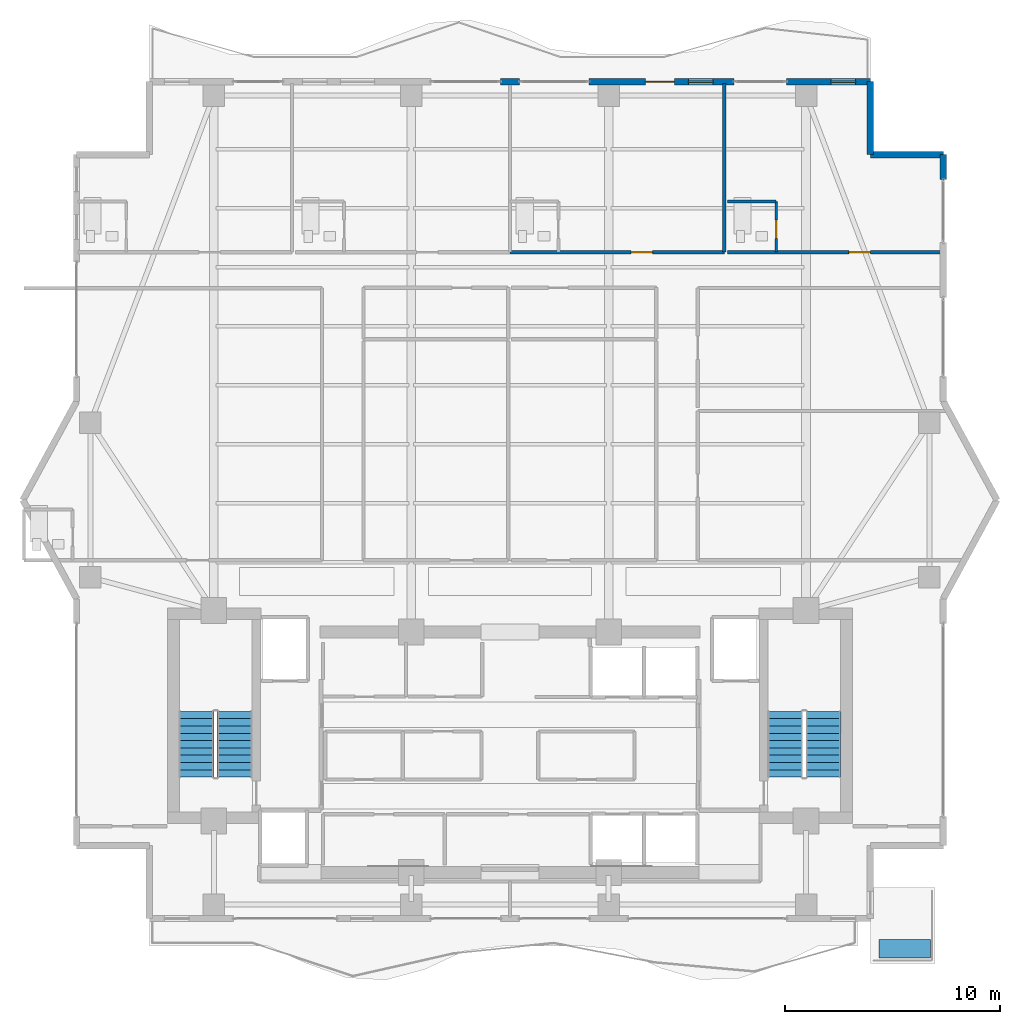
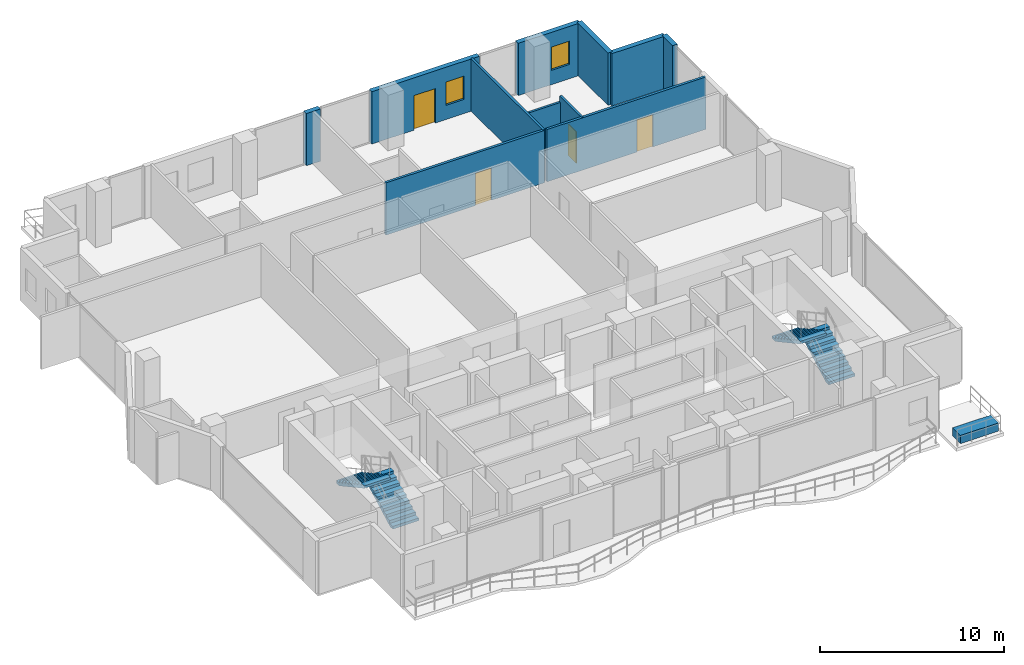
# One storey, part 22 of 25: 11 walls, 4 doors, 4 stair flights, 2 windows, 1 building element part, 6 openings, 2 elements without a shape of their own.
"""IFC4 building model written with IfcOpenShell, lengths in metres."""

from ifc_helpers import new_model, si_unit, direction, frame, frame_2d, origin, origin_2d, place, context, subcontext, project, spatial, polyline, rectangle, outline, extrude, material, layer, layer_set, type_object, element, fill, aggregate, save


model = new_model("IFC4")

# Units and contexts
model_context = context("Model", 3, precision=1e-05, world=origin(), true_north=direction((0.0, 1.0)))
body_context = subcontext(model_context, "Body", "Model", "MODEL_VIEW")
ifc_project = project(units=[si_unit("LENGTHUNIT", "METRE"), si_unit("AREAUNIT", "SQUARE_METRE"), si_unit("VOLUMEUNIT", "CUBIC_METRE"), si_unit("PLANEANGLEUNIT", "RADIAN"), si_unit("MASSUNIT", "GRAM", prefix="KILO")], contexts=[model_context])

# Site, building, storey
site_placement = place(None, origin())
site = spatial("IfcSite", under=ifc_project, at=site_placement, CompositionType="ELEMENT")
building_placement = place(site_placement, origin())
building = spatial("IfcBuilding", under=site, at=building_placement, Name="Zuhayl Quay Hotel", CompositionType="ELEMENT")
storey_placement = place(building_placement, frame((0.0, 0.0, 250.75)))
storey = spatial("IfcBuildingStorey", under=building, at=storey_placement, Name="L63", CompositionType="ELEMENT", Elevation=250.75)

# Wall
ifc_material_1 = material(Name="Precast concrete C45/55", Category="concrete")
ifc_layer_1 = layer(ifc_material_1, 0.300048828125, Name="Precast concrete C45/55", Category="concrete")
ifc_layer_set_1 = layer_set([ifc_layer_1], Name="Precast concrete C45/55")
wall_type_1 = type_object("IfcWallType", Name="WL_EXT_300", PredefinedType="STANDARD", material=ifc_layer_set_1)
wall_1_placement = place(storey_placement, frame((-0.449951171875, 39.0, 0.0), z_axis=(0.0, 0.0, 1.0), x_axis=(1.0, 0.0, 0.0)))
element("IfcWall", 1, at=wall_1_placement, inside=storey, type_object=wall_type_1, Name="L63 Exterior Precast Wall ENV_L63_N_EW3", PredefinedType="STANDARD", context=body_context, shape_type="SweptSolid", body=[
    extrude(rectangle(XDim=0.89990234375, YDim=0.300048828125, at=frame_2d((0.449951171875, 0.0))), origin(), (0.0, 0.0, 1.0), 3.47998046875),
])

# Wall, openings, door, window
wall_2_placement = place(storey_placement, frame((3.679931640625, 39.0, 0.0), z_axis=(0.0, 0.0, 1.0), x_axis=(1.0, 0.0, 0.0)))
wall_2 = element("IfcWall", 2, at=wall_2_placement, inside=storey, type_object=wall_type_1, Name="L63 Exterior Precast Wall ENV_L63_N_EW4", PredefinedType="STANDARD", context=body_context, shape_type="SweptSolid", body=[
    extrude(rectangle(XDim=6.760009765625, YDim=0.300048828125, at=frame_2d((3.3798828125, 0.0))), origin(), (0.0, 0.0, 1.0), 3.47998046875),
])
opening_1_placement = place(wall_2_placement, frame((2.637939453125, 0.0, 0.0)))
opening_1 = element("IfcOpeningElement", 3, at=opening_1_placement, cuts=wall_2, Name="Opening DG2", PredefinedType="OPENING", context=body_context, shape_type="SweptSolid", body=[
    extrude(rectangle(XDim=1.35009765625, YDim=2.300048828125, at=frame_2d((0.675048828125, 1.14990234375))), frame((0.0, 0.159912109375, 0.0), z_axis=(0.0, -1.0, 0.0), x_axis=(1.0, 0.0, 0.0)), (0.0, 0.0, 1.0), 0.320068359375),
])
opening_2_placement = place(wall_2_placement, frame((4.638916015625, 0.0, 0.949951171875)))
opening_2 = element("IfcOpeningElement", 4, at=opening_2_placement, cuts=wall_2, Name="Opening W01N", PredefinedType="OPENING", context=body_context, shape_type="SweptSolid", body=[
    extrude(rectangle(XDim=1.14990234375, YDim=1.550048828125, at=frame_2d((0.574951171875, 0.77490234375))), frame((0.0, 0.159912109375, 0.0), z_axis=(0.0, -1.0, 0.0), x_axis=(1.0, 0.0, 0.0)), (0.0, 0.0, 1.0), 0.320068359375),
])
ifc_material_2 = material(Name="Anodised Aluminium and Dark Solar Glass", Category="aluminium")
door_type_1 = type_object("IfcDoorType", Name="DR_EXT_TERR_1350", OperationType="NOTDEFINED", PredefinedType="DOOR", material=ifc_material_2)
door_1_placement = place(opening_1_placement, origin())
door_1 = element("IfcDoor", 5, at=door_1_placement, inside=storey, type_object=door_type_1, Name="L63 North Rippling Balcony Door", OperationType="SINGLE_SWING_LEFT", OverallHeight=2.300048828125, OverallWidth=1.35009765625, PredefinedType="DOOR", context=body_context, shape_type="SweptSolid", body=[
    extrude(rectangle(XDim=1.35009765625, YDim=2.300048828125, at=frame_2d((0.675048828125, 1.14990234375))), frame((0.0, 0.02490234375, 0.0), z_axis=(0.0, -1.0, 0.0), x_axis=(1.0, 0.0, 0.0)), (0.0, 0.0, 1.0), 0.050048828125),
])
fill(opening_1, door_1)
ifc_material_3 = material(Name="Dark Ceramic-Fritted Solar Glass", Category="glass")
window_type = type_object("IfcWindowType", Name="WN_NOTCH_1350", PartitioningType="SINGLE_PANEL", PredefinedType="WINDOW", material=ifc_material_3)
window_1_placement = place(opening_2_placement, origin())
window_1 = element("IfcWindow", 6, at=window_1_placement, inside=storey, type_object=window_type, Name="L63 Operable Facade Window 4-1", OverallHeight=1.550048828125, OverallWidth=1.14990234375, PartitioningType="SINGLE_PANEL", PredefinedType="WINDOW", context=body_context, shape_type="SweptSolid", body=[
    extrude(rectangle(XDim=1.14990234375, YDim=1.550048828125, at=frame_2d((0.574951171875, 0.77490234375))), frame((0.0, 0.030029296875, 0.0), z_axis=(0.0, -1.0, 0.0), x_axis=(1.0, 0.0, 0.0)), (0.0, 0.0, 1.0), 0.06005859375),
])
fill(opening_2, window_1)

# Wall, opening, window
wall_3_placement = place(storey_placement, frame((12.8798828125, 39.0, 0.0), z_axis=(0.0, 0.0, 1.0), x_axis=(1.0, 0.0, 0.0)))
wall_3 = element("IfcWall", 7, at=wall_3_placement, inside=storey, type_object=wall_type_1, Name="L63 Exterior Precast Wall ENV_L63_N_EW5", PredefinedType="STANDARD", context=body_context, shape_type="SweptSolid", body=[
    extrude(rectangle(XDim=3.920166015625, YDim=0.300048828125, at=frame_2d((1.9599609375, 0.0))), origin(), (0.0, 0.0, 1.0), 3.47998046875),
])
opening_3_placement = place(wall_3_placement, frame((2.074951171875, 0.0, 0.949951171875)))
opening_3 = element("IfcOpeningElement", 8, at=opening_3_placement, cuts=wall_3, Name="Opening W01N", PredefinedType="OPENING", context=body_context, shape_type="SweptSolid", body=[
    extrude(rectangle(XDim=1.14990234375, YDim=1.550048828125, at=frame_2d((0.574951171875, 0.77490234375))), frame((0.0, 0.159912109375, 0.0), z_axis=(0.0, -1.0, 0.0), x_axis=(1.0, 0.0, 0.0)), (0.0, 0.0, 1.0), 0.320068359375),
])
window_2_placement = place(opening_3_placement, origin())
window_2 = element("IfcWindow", 9, at=window_2_placement, inside=storey, type_object=window_type, Name="L63 Operable Facade Window 5-1", OverallHeight=1.550048828125, OverallWidth=1.14990234375, PartitioningType="SINGLE_PANEL", PredefinedType="WINDOW", context=body_context, shape_type="SweptSolid", body=[
    extrude(rectangle(XDim=1.14990234375, YDim=1.550048828125, at=frame_2d((0.574951171875, 0.77490234375))), frame((0.0, 0.030029296875, 0.0), z_axis=(0.0, -1.0, 0.0), x_axis=(1.0, 0.0, 0.0)), (0.0, 0.0, 1.0), 0.06005859375),
])
fill(opening_3, window_2)

# Walls
for number, where, z_axis, x_axis, name in (
    (10, (16.800048828125, 39.0, 0.0), (0.0, 0.0, 1.0), (0.0, -1.0, 0.0), "L63 Exterior Precast Wall ENV_L63_EW09"),
    (11, (16.800048828125, 35.60009765625, 0.0), (0.0, 0.0, 1.0), (1.0, 0.0, 0.0), "L63 Exterior Precast Wall ENV_L63_EW10"),
):
    element("IfcWall", number, at=place(storey_placement, frame(where, z_axis=z_axis, x_axis=x_axis)), inside=storey, type_object=wall_type_1, Name=name, PredefinedType="STANDARD", context=body_context, shape_type="SweptSolid", body=[
        extrude(rectangle(XDim=3.39990234375, YDim=0.300048828125, at=frame_2d((1.699951171875, 0.0))), origin(), (0.0, 0.0, 1.0), 3.47998046875),
    ])
wall_4_placement = place(storey_placement, frame((20.199951171875, 35.60009765625, 0.0), z_axis=(0.0, 0.0, 1.0), x_axis=(0.0, -1.0, 0.0)))
element("IfcWall", 12, at=wall_4_placement, inside=storey, type_object=wall_type_1, Name="L63 Exterior Precast Wall ENV_L63_E11_EW1", PredefinedType="STANDARD", context=body_context, shape_type="SweptSolid", body=[
    extrude(rectangle(XDim=1.150146484375, YDim=0.300048828125, at=frame_2d((0.5751953125, 0.0))), origin(), (0.0, 0.0, 1.0), 3.47998046875),
])
ifc_material_4 = material(Name="Acoustic Gypsum Partition STC-58")
ifc_layer_2 = layer(ifc_material_4, 0.14990234375, Name="Acoustic Gypsum Partition STC-58")
ifc_layer_set_2 = layer_set([ifc_layer_2], Name="Acoustic Gypsum Partition STC-58")
wall_type_2 = type_object("IfcWallType", Name="WL_PART_150", PredefinedType="PARTITIONING", material=ifc_layer_set_2)
wall_5_placement = place(storey_placement, frame((9.989990234375, 31.050048828125, 0.0), z_axis=(0.0, 0.0, 1.0), x_axis=(0.0, 1.0, 0.0)))
element("IfcWall", 13, at=wall_5_placement, inside=storey, type_object=wall_type_2, Name="L63 Partition IW_L63_NU02A_E", PredefinedType="PARTITIONING", context=body_context, shape_type="SweptSolid", body=[
    extrude(rectangle(XDim=7.869873046875, YDim=0.14990234375, at=frame_2d((3.93505859375, 0.0))), origin(), (0.0, 0.0, 1.0), 3.47998046875),
])

# Wall, opening, door
ifc_layer_3 = layer(ifc_material_4, 0.159912109375, Name="Acoustic Gypsum Partition STC-58")
ifc_layer_set_3 = layer_set([ifc_layer_3], Name="Acoustic Gypsum Partition STC-58")
wall_type_3 = type_object("IfcWallType", Name="WL_PART_CORR_160", PredefinedType="PARTITIONING", material=ifc_layer_set_3)
wall_6_placement = place(storey_placement, frame((0.0, 31.050048828125, 0.0), z_axis=(0.0, 0.0, 1.0), x_axis=(1.0, 0.0, 0.0)))
wall_6 = element("IfcWall", 14, at=wall_6_placement, inside=storey, type_object=wall_type_3, Name="L63 Partition IW_L63_NU02A_COR", PredefinedType="PARTITIONING", context=body_context, shape_type="SweptSolid", body=[
    extrude(rectangle(XDim=9.989990234375, YDim=0.159912109375, at=frame_2d((4.9951171875, 0.0))), origin(), (0.0, 0.0, 1.0), 3.47998046875),
])
opening_4_placement = place(wall_6_placement, frame((5.64501953125, 0.0, 0.0)))
opening_4 = element("IfcOpeningElement", 15, at=opening_4_placement, cuts=wall_6, Name="Opening D03L", PredefinedType="OPENING", context=body_context, shape_type="SweptSolid", body=[
    extrude(rectangle(XDim=1.0, YDim=2.14990234375, at=frame_2d((0.5, 1.074951171875))), frame((0.0, 0.08984375, 0.0), z_axis=(0.0, -1.0, 0.0), x_axis=(1.0, 0.0, 0.0)), (0.0, 0.0, 1.0), 0.179931640625),
])
ifc_material_5 = material(Name="Solid Walnut Acoustic Fire Door")
door_type_2 = type_object("IfcDoorType", Name="DR_SUITE_1000", OperationType="NOTDEFINED", PredefinedType="DOOR", material=ifc_material_5)
door_2_placement = place(opening_4_placement, origin())
door_2 = element("IfcDoor", 16, at=door_2_placement, inside=storey, type_object=door_type_2, Name="L63 Royal Gulf Suite L63-02A Entrance Door", OperationType="SINGLE_SWING_RIGHT", OverallHeight=2.14990234375, OverallWidth=1.0, PredefinedType="DOOR", context=body_context, shape_type="SweptSolid", body=[
    extrude(rectangle(XDim=1.0, YDim=2.14990234375, at=frame_2d((0.5, 1.074951171875))), frame((0.0, 0.02490234375, 0.0), z_axis=(0.0, -1.0, 0.0), x_axis=(1.0, 0.0, 0.0)), (0.0, 0.0, 1.0), 0.050048828125),
])
fill(opening_4, door_2)

wall_7_placement = place(storey_placement, frame((10.14990234375, 31.050048828125, 0.0), z_axis=(0.0, 0.0, 1.0), x_axis=(1.0, 0.0, 0.0)))
wall_7 = element("IfcWall", 17, at=wall_7_placement, inside=storey, type_object=wall_type_3, Name="L63 Partition IW_L63_NU02B_COR", PredefinedType="PARTITIONING", context=body_context, shape_type="SweptSolid", body=[
    extrude(rectangle(XDim=9.989990234375, YDim=0.159912109375, at=frame_2d((4.9951171875, 0.0))), origin(), (0.0, 0.0, 1.0), 3.47998046875),
])
opening_5_placement = place(wall_7_placement, frame((5.64501953125, 0.0, 0.0)))
opening_5 = element("IfcOpeningElement", 18, at=opening_5_placement, cuts=wall_7, Name="Opening D03L", PredefinedType="OPENING", context=body_context, shape_type="SweptSolid", body=[
    extrude(rectangle(XDim=1.0, YDim=2.14990234375, at=frame_2d((0.5, 1.074951171875))), frame((0.0, 0.08984375, 0.0), z_axis=(0.0, -1.0, 0.0), x_axis=(1.0, 0.0, 0.0)), (0.0, 0.0, 1.0), 0.179931640625),
])
door_3_placement = place(opening_5_placement, origin())
door_3 = element("IfcDoor", 19, at=door_3_placement, inside=storey, type_object=door_type_2, Name="L63 Royal Gulf Suite L63-02B Entrance Door", OperationType="SINGLE_SWING_RIGHT", OverallHeight=2.14990234375, OverallWidth=1.0, PredefinedType="DOOR", context=body_context, shape_type="SweptSolid", body=[
    extrude(rectangle(XDim=1.0, YDim=2.14990234375, at=frame_2d((0.5, 1.074951171875))), frame((0.0, 0.02490234375, 0.0), z_axis=(0.0, -1.0, 0.0), x_axis=(1.0, 0.0, 0.0)), (0.0, 0.0, 1.0), 0.050048828125),
])
fill(opening_5, door_3)

ifc_material_6 = material(Name="Moisture-Resistant Sanitarychase Gypsum")
ifc_layer_4 = layer(ifc_material_6, 0.135009765625, Name="Moisture-Resistant Sanitarychase Gypsum")
ifc_layer_set_4 = layer_set([ifc_layer_4], Name="Moisture-Resistant Sanitarychase Gypsum")
wall_type_4 = type_object("IfcWallType", Name="WL_PART_PLUMB_150", PredefinedType="PLUMBINGWALL", material=ifc_layer_set_4)
wall_8_placement = place(storey_placement, frame((12.409912109375, 31.050048828125, 0.0), z_axis=(0.0, 0.0, 1.0), x_axis=(0.0, 1.0, 0.0)))
wall_8 = element("IfcWall", 20, at=wall_8_placement, inside=storey, type_object=wall_type_4, Name="L63 Partition IW_L63_NU02B_BE", PredefinedType="PLUMBINGWALL", context=body_context, shape_type="SweptSolid", body=[
    extrude(rectangle(XDim=2.35986328125, YDim=0.135009765625, at=frame_2d((1.179931640625, 0.0))), origin(), (0.0, 0.0, 1.0), 3.47998046875),
])
opening_6_placement = place(wall_8_placement, frame((0.64990234375, 0.0, 0.0)))
opening_6 = element("IfcOpeningElement", 21, at=opening_6_placement, cuts=wall_8, Name="Opening D04", PredefinedType="OPENING", context=body_context, shape_type="SweptSolid", body=[
    extrude(rectangle(XDim=0.85009765625, YDim=2.10009765625, at=frame_2d((0.425048828125, 1.050048828125))), frame((0.0, 0.077392578125, 0.0), z_axis=(0.0, -1.0, 0.0), x_axis=(1.0, 0.0, 0.0)), (0.0, 0.0, 1.0), 0.155029296875),
])
ifc_material_7 = material(Name="Moisture-Resistant Walnut Veneer")
door_type_3 = type_object("IfcDoorType", Name="DR_BATH_850", OperationType="NOTDEFINED", PredefinedType="DOOR", material=ifc_material_7)
door_4_placement = place(opening_6_placement, origin())
door_4 = element("IfcDoor", 22, at=door_4_placement, inside=storey, type_object=door_type_3, Name="L63 Royal Gulf Suite L63-02B En-Suite Door", OperationType="SINGLE_SWING_LEFT", OverallHeight=2.10009765625, OverallWidth=0.85009765625, PredefinedType="DOOR", context=body_context, shape_type="SweptSolid", body=[
    extrude(rectangle(XDim=0.85009765625, YDim=2.10009765625, at=frame_2d((0.425048828125, 1.050048828125))), frame((0.0, 0.02490234375, 0.0), z_axis=(0.0, -1.0, 0.0), x_axis=(1.0, 0.0, 0.0)), (0.0, 0.0, 1.0), 0.050048828125),
])
fill(opening_6, door_4)

# Wall
wall_9_placement = place(storey_placement, frame((10.14990234375, 33.409912109375, 0.0), z_axis=(0.0, 0.0, 1.0), x_axis=(1.0, 0.0, 0.0)))
element("IfcWall", 23, at=wall_9_placement, inside=storey, type_object=wall_type_4, Name="L63 Partition IW_L63_NU02B_BN", PredefinedType="PLUMBINGWALL", context=body_context, shape_type="SweptSolid", body=[
    extrude(rectangle(XDim=2.260009765625, YDim=0.135009765625, at=frame_2d((1.1298828125, 0.0))), origin(), (0.0, 0.0, 1.0), 3.075927734375),
])

# Stair, stair flights
ifc_material_8 = material(Name="Concrete C45/55", Category="concrete")
stair_type = type_object("IfcStairType", Name="ST_DOGLEG_TOWER", PredefinedType="HALF_TURN_STAIR", material=ifc_material_8)
stair_1_placement = place(storey_placement, origin())
stair_1 = element("IfcStair", 24, at=stair_1_placement, inside=storey, type_object=stair_type, Name="L63 Smokeproof Exit Stair ST1", PredefinedType="HALF_TURN_STAIR")
ifc_layer_5 = layer(ifc_material_8, 0.159912109375, Name="Concrete C45/55", Category="concrete")
ifc_layer_set_5 = layer_set([ifc_layer_5], Name="Concrete C45/55")
stair_flight_type = type_object("IfcStairFlightType", Name="SF_CONC_164", PredefinedType="STRAIGHT", material=ifc_layer_set_5)
stair_flight_1_placement = place(storey_placement, frame((-12.820068359375, 6.590087890625, 0.0), z_axis=(0.0, 0.0, 1.0), x_axis=(0.0, 1.0, 0.0)))
stair_flight_1 = element("IfcStairFlight", 25, at=stair_flight_1_placement, type_object=stair_flight_type, Name="ST1 flight 1", NumberOfRisers=10, NumberOfTreads=9, PredefinedType="STRAIGHT", RiserHeight=0.185, TreadLength=0.34, context=body_context, shape_type="SweptSolid", body=[
    extrude(outline(polyline([(0.0, 0.0), (0.0, 0.18505859375), (0.340087890625, 0.18505859375), (0.340087890625, 0.3701171875), (0.679931640625, 0.3701171875), (0.679931640625, 0.554931640625), (1.02001953125, 0.554931640625), (1.02001953125, 0.739990234375), (1.360107421875, 0.739990234375), (1.360107421875, 0.925048828125), (1.699951171875, 0.925048828125), (1.699951171875, 1.110107421875), (2.0400390625, 1.110107421875), (2.0400390625, 1.294921875), (2.3798828125, 1.294921875), (2.3798828125, 1.47998046875), (2.719970703125, 1.47998046875), (2.719970703125, 1.6650390625), (3.06005859375, 1.6650390625), (3.06005859375, 1.85009765625), (3.06005859375, 1.494384765625), (0.313720703125, 0.0), (0.0, 0.0)])), frame((0.0, 0.81982421875, 0.0), z_axis=(0.0, -1.0, 0.0), x_axis=(1.0, 0.0, 0.0)), (0.0, 0.0, 1.0), 1.639892578125),
])
stair_flight_2_placement = place(storey_placement, frame((-14.610107421875, 9.64990234375, 1.85009765625), z_axis=(0.0, 0.0, 1.0), x_axis=(0.0, -1.0, 0.0)))
stair_flight_2 = element("IfcStairFlight", 26, at=stair_flight_2_placement, type_object=stair_flight_type, Name="ST1 flight 2", NumberOfRisers=10, NumberOfTreads=9, PredefinedType="STRAIGHT", RiserHeight=0.185, TreadLength=0.34, context=body_context, shape_type="SweptSolid", body=[
    extrude(outline(polyline([(0.0, 0.0), (0.0, 0.18505859375), (0.340087890625, 0.18505859375), (0.340087890625, 0.3701171875), (0.679931640625, 0.3701171875), (0.679931640625, 0.554931640625), (1.02001953125, 0.554931640625), (1.02001953125, 0.739990234375), (1.360107421875, 0.739990234375), (1.360107421875, 0.925048828125), (1.699951171875, 0.925048828125), (1.699951171875, 1.110107421875), (2.0400390625, 1.110107421875), (2.0400390625, 1.294921875), (2.3798828125, 1.294921875), (2.3798828125, 1.47998046875), (2.719970703125, 1.47998046875), (2.719970703125, 1.6650390625), (3.06005859375, 1.6650390625), (3.06005859375, 1.85009765625), (3.06005859375, 1.494384765625), (0.313720703125, 0.0), (0.0, 0.0)])), frame((0.0, 0.81982421875, 0.0), z_axis=(0.0, -1.0, 0.0), x_axis=(1.0, 0.0, 0.0)), (0.0, 0.0, 1.0), 1.639892578125),
])
aggregate(stair_1, [stair_flight_1, stair_flight_2])

stair_2_placement = place(storey_placement, origin())
stair_2 = element("IfcStair", 27, at=stair_2_placement, inside=storey, type_object=stair_type, Name="L63 Smokeproof Exit Stair ST2", PredefinedType="HALF_TURN_STAIR")
stair_flight_3_placement = place(storey_placement, frame((14.610107421875, 6.590087890625, 0.0), z_axis=(0.0, 0.0, 1.0), x_axis=(0.0, 1.0, 0.0)))
stair_flight_3 = element("IfcStairFlight", 28, at=stair_flight_3_placement, type_object=stair_flight_type, Name="ST2 flight 1", NumberOfRisers=10, NumberOfTreads=9, PredefinedType="STRAIGHT", RiserHeight=0.185, TreadLength=0.34, context=body_context, shape_type="SweptSolid", body=[
    extrude(outline(polyline([(0.0, 0.0), (0.0, 0.18505859375), (0.340087890625, 0.18505859375), (0.340087890625, 0.3701171875), (0.679931640625, 0.3701171875), (0.679931640625, 0.554931640625), (1.02001953125, 0.554931640625), (1.02001953125, 0.739990234375), (1.360107421875, 0.739990234375), (1.360107421875, 0.925048828125), (1.699951171875, 0.925048828125), (1.699951171875, 1.110107421875), (2.0400390625, 1.110107421875), (2.0400390625, 1.294921875), (2.3798828125, 1.294921875), (2.3798828125, 1.47998046875), (2.719970703125, 1.47998046875), (2.719970703125, 1.6650390625), (3.06005859375, 1.6650390625), (3.06005859375, 1.85009765625), (3.06005859375, 1.494384765625), (0.313720703125, 0.0), (0.0, 0.0)])), frame((0.0, 0.81982421875, 0.0), z_axis=(0.0, -1.0, 0.0), x_axis=(1.0, 0.0, 0.0)), (0.0, 0.0, 1.0), 1.639892578125),
])
stair_flight_4_placement = place(storey_placement, frame((12.820068359375, 9.64990234375, 1.85009765625), z_axis=(0.0, 0.0, 1.0), x_axis=(0.0, -1.0, 0.0)))
stair_flight_4 = element("IfcStairFlight", 29, at=stair_flight_4_placement, type_object=stair_flight_type, Name="ST2 flight 2", NumberOfRisers=10, NumberOfTreads=9, PredefinedType="STRAIGHT", RiserHeight=0.185, TreadLength=0.34, context=body_context, shape_type="SweptSolid", body=[
    extrude(outline(polyline([(0.0, 0.0), (0.0, 0.18505859375), (0.340087890625, 0.18505859375), (0.340087890625, 0.3701171875), (0.679931640625, 0.3701171875), (0.679931640625, 0.554931640625), (1.02001953125, 0.554931640625), (1.02001953125, 0.739990234375), (1.360107421875, 0.739990234375), (1.360107421875, 0.925048828125), (1.699951171875, 0.925048828125), (1.699951171875, 1.110107421875), (2.0400390625, 1.110107421875), (2.0400390625, 1.294921875), (2.3798828125, 1.294921875), (2.3798828125, 1.47998046875), (2.719970703125, 1.47998046875), (2.719970703125, 1.6650390625), (3.06005859375, 1.6650390625), (3.06005859375, 1.85009765625), (3.06005859375, 1.494384765625), (0.313720703125, 0.0), (0.0, 0.0)])), frame((0.0, 0.81982421875, 0.0), z_axis=(0.0, -1.0, 0.0), x_axis=(1.0, 0.0, 0.0)), (0.0, 0.0, 1.0), 1.639892578125),
])
aggregate(stair_2, [stair_flight_3, stair_flight_4])

# Building element part
ifc_layer_6 = layer(ifc_material_1, 0.550048828125, Name="Precast concrete C45/55", Category="concrete")
ifc_layer_set_6 = layer_set([ifc_layer_6], Name="Precast concrete C45/55")
building_element_part_type = type_object("IfcBuildingElementPartType", Name="PT_PLANTER_KERB", PredefinedType="PRECASTPANEL", material=ifc_layer_set_6)
building_element_part_placement = place(storey_placement, frame((18.409912109375, -1.409912109375, 0.0), z_axis=(0.0, 0.0, 1.0), x_axis=(1.0, 0.0, 0.0)))
element("IfcBuildingElementPart", 30, at=building_element_part_placement, inside=storey, type_object=building_element_part_type, Name="L63 Spiral Sky-Terrace Planter Box SE", PredefinedType="PRECASTPANEL", context=body_context, shape_type="SweptSolid", body=[
    extrude(rectangle(XDim=2.39990234375, YDim=0.85009765625, at=origin_2d()), origin(), (0.0, 0.0, 1.0), 0.550048828125),
])

save(model, "model.ifc")
